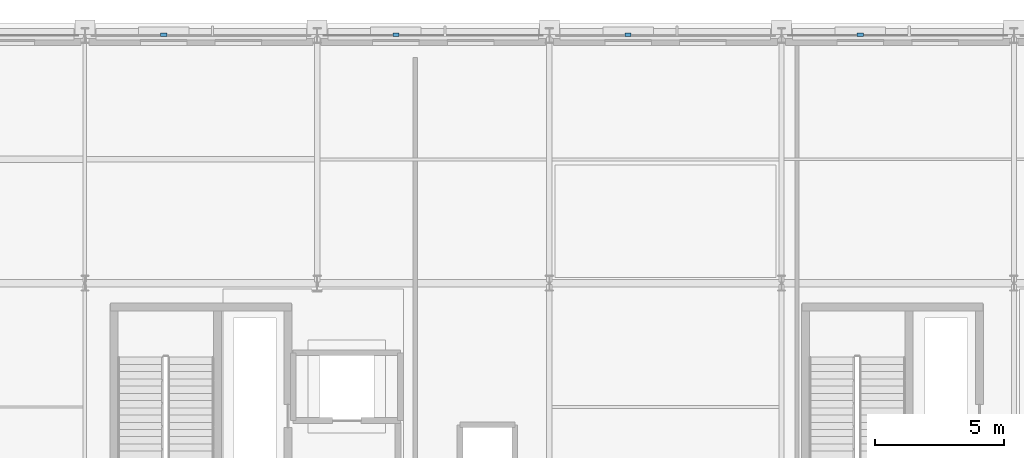
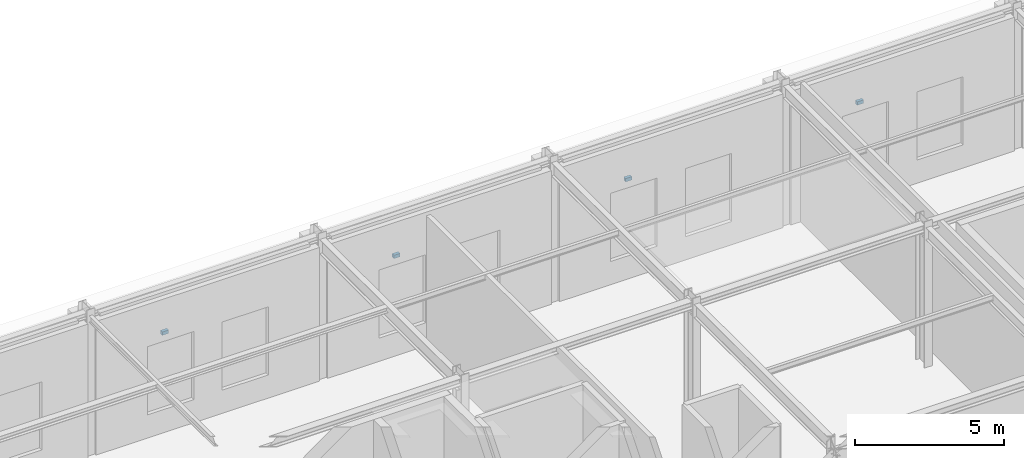
# One storey, part 77 of 113: 4 discrete accessories.
"""IFC4 building model written with IfcOpenShell, lengths in metres."""

from ifc_helpers import new_model, si_unit, direction, frame, origin, origin_2d, place, context, subcontext, project, spatial, rectangle, extrude, material, type_object, element, save


model = new_model("IFC4")

# Units and contexts
model_context = context("Model", 3, precision=1e-05, world=origin(), true_north=direction((0.0, 1.0)))
body_context = subcontext(model_context, "Body", "Model", "MODEL_VIEW")
ifc_project = project(units=[si_unit("LENGTHUNIT", "METRE"), si_unit("AREAUNIT", "SQUARE_METRE"), si_unit("VOLUMEUNIT", "CUBIC_METRE"), si_unit("PLANEANGLEUNIT", "RADIAN"), si_unit("MASSUNIT", "GRAM", prefix="KILO")], contexts=[model_context])

# Site, building, storey
site_placement = place(None, origin())
site = spatial("IfcSite", under=ifc_project, at=site_placement, CompositionType="ELEMENT")
building_placement = place(site_placement, origin())
building = spatial("IfcBuilding", under=site, at=building_placement, Name="Myrtia Square Station", CompositionType="ELEMENT")
storey_placement = place(building_placement, origin())
storey = spatial("IfcBuildingStorey", under=building, at=storey_placement, Name="L00", CompositionType="ELEMENT", Elevation=0.0)

# Discrete accessories
ifc_material = material(Name="Steel S355", Category="steel")
discrete_accessory_type = type_object("IfcDiscreteAccessoryType", Name="ACC-BRACKET-BRONZE", PredefinedType="BRACKET", material=ifc_material)
for number, where, z_axis, x_axis, name in (
    (1, (129.052001953125, 124.830078125, 3.72998046875), (0.0, 0.0, 1.0), (1.0, 0.0, 0.0), "Solar shading fixing bracket 032"),
    (2, (138.052001953125, 124.830078125, 3.72998046875), (0.0, 0.0, 1.0), (1.0, 0.0, 0.0), "Solar shading fixing bracket 033"),
    (3, (147.052001953125, 124.830078125, 3.72998046875), (0.0, 0.0, 1.0), (1.0, 0.0, 0.0), "Solar shading fixing bracket 034"),
    (4, (156.052001953125, 124.830078125, 3.72998046875), (0.0, 0.0, 1.0), (1.0, 0.0, 0.0), "Solar shading fixing bracket 035"),
):
    element("IfcDiscreteAccessory", number, at=place(storey_placement, frame(where, z_axis=z_axis, x_axis=x_axis)), inside=storey, type_object=discrete_accessory_type, Name=name, PredefinedType="BRACKET", context=body_context, shape_type="SweptSolid", body=[
        extrude(rectangle(XDim=0.239990234375, YDim=0.1201171875, at=origin_2d()), origin(), (0.0, 0.0, 1.0), 0.139892578125),
    ])

save(model, "model.ifc")
